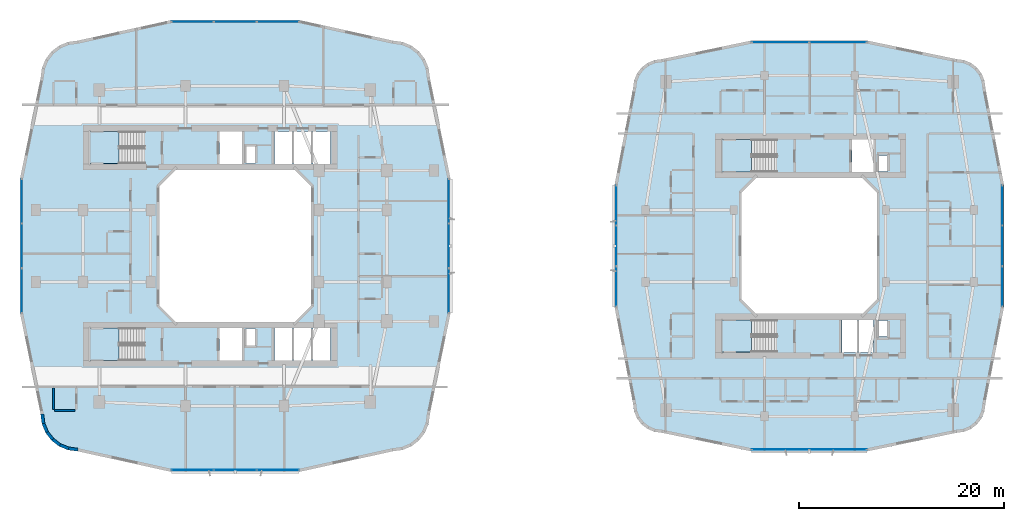
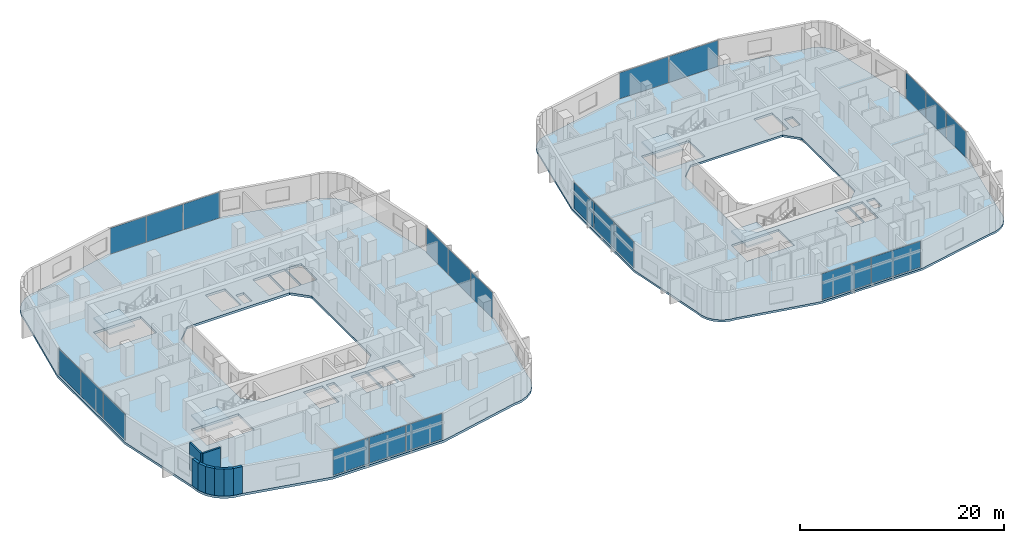
# One storey, part 12 of 26: 22 plates, 8 walls, 6 slabs, 12 elements without a shape of their own.
"""IFC4 building model written with IfcOpenShell, lengths in metres."""

from ifc_helpers import new_model, si_unit, derived_unit, direction, frame, frame_2d, origin, origin_2d, place, context, subcontext, project, spatial, polyline, rectangle, outline, extrude, material, layer, layer_set, type_object, element, aggregate, save


model = new_model("IFC4")

# Units and contexts
model_context = context("Model", 3, precision=1e-05, world=origin(), true_north=direction((0.0, 1.0)))
body_context = subcontext(model_context, "Body", "Model", "MODEL_VIEW")
ifc_project = project(units=[si_unit("LENGTHUNIT", "METRE"), si_unit("AREAUNIT", "SQUARE_METRE"), si_unit("VOLUMEUNIT", "CUBIC_METRE"), si_unit("PLANEANGLEUNIT", "RADIAN"), si_unit("MASSUNIT", "GRAM", prefix="KILO"), derived_unit("THERMALTRANSMITTANCEUNIT", [(si_unit("POWERUNIT", "WATT"), 1), (si_unit("LENGTHUNIT", "METRE"), -2), (si_unit("THERMODYNAMICTEMPERATUREUNIT", "KELVIN"), -1)])], contexts=[model_context])

# Site, building, storey
site_placement = place(None, origin())
site = spatial("IfcSite", under=ifc_project, at=site_placement, CompositionType="ELEMENT")
building_placement = place(site_placement, origin())
building = spatial("IfcBuilding", under=site, at=building_placement, Name="Kivonza Crest Hotel", CompositionType="ELEMENT")
storey_placement = place(building_placement, frame((0.0, 0.0, 52.0)))
storey = spatial("IfcBuildingStorey", under=building, at=storey_placement, Name="L13", CompositionType="ELEMENT", Elevation=52.0)

# Curtain wall, plates
ifc_material_1 = material(Name="Anodised bronze aluminium and low-E double glazing", Category="aluminium")
ifc_layer_1 = layer(ifc_material_1, 0.179931640625)
ifc_layer_set_1 = layer_set([ifc_layer_1], Name="Anodised bronze aluminium and low-E double glazing")
curtain_wall_type_1 = type_object("IfcCurtainWallType", Name="CW-SYS-2", PredefinedType="NOTDEFINED", material=ifc_layer_set_1)
curtain_wall_1_placement = place(storey_placement, origin())
curtain_wall_1 = element("IfcCurtainWall", 1, at=curtain_wall_1_placement, inside=storey, type_object=curtain_wall_type_1, Name="L13 unitised curtain wall CW-T1-L13-08", PredefinedType="NOTDEFINED")
ifc_material_2 = material(Name="Solar-control low-E double glazing", Category="glass")
ifc_layer_2 = layer(ifc_material_2, 0.028076171875)
ifc_layer_set_2 = layer_set([ifc_layer_2], Name="Solar-control low-E double glazing")
plate_type = type_object("IfcPlateType", Name="CW-PNL-28", PredefinedType="CURTAIN_PANEL", material=ifc_layer_set_2)
plate_1_placement = place(storey_placement, frame((16.890869140625, 3.159912109375, 0.06494140625), z_axis=(0.0, 0.0, 1.0), x_axis=(1.0, 0.0, 0.0)))
plate_1 = element("IfcPlate", 2, at=plate_1_placement, type_object=plate_type, Name="CW-2 panel 1.1", PredefinedType="CURTAIN_PANEL", context=body_context, shape_type="SweptSolid", body=[
    extrude(rectangle(XDim=4.06787109375, YDim=0.028076171875, at=origin_2d()), origin(), (0.0, 0.0, 1.0), 3.090087890625),
])
plate_2_placement = place(storey_placement, frame((21.0400390625, 3.159912109375, 0.06494140625), z_axis=(0.0, 0.0, 1.0), x_axis=(1.0, 0.0, 0.0)))
plate_2 = element("IfcPlate", 3, at=plate_2_placement, type_object=plate_type, Name="CW-2 panel 2.1", PredefinedType="CURTAIN_PANEL", context=body_context, shape_type="SweptSolid", body=[
    extrude(rectangle(XDim=4.100341796875, YDim=0.028076171875, at=origin_2d()), origin(), (0.0, 0.0, 1.0), 3.090087890625),
])
plate_3_placement = place(storey_placement, frame((25.18896484375, 3.159912109375, 0.06494140625), z_axis=(0.0, 0.0, 1.0), x_axis=(1.0, 0.0, 0.0)))
plate_3 = element("IfcPlate", 4, at=plate_3_placement, type_object=plate_type, Name="CW-2 panel 3.1", PredefinedType="CURTAIN_PANEL", context=body_context, shape_type="SweptSolid", body=[
    extrude(rectangle(XDim=4.06787109375, YDim=0.028076171875, at=origin_2d()), origin(), (0.0, 0.0, 1.0), 3.090087890625),
])
aggregate(curtain_wall_1, [plate_1, plate_2, plate_3])

curtain_wall_2_placement = place(storey_placement, origin())
curtain_wall_2 = element("IfcCurtainWall", 5, at=curtain_wall_2_placement, inside=storey, type_object=curtain_wall_type_1, Name="L13 unitised curtain wall CW-T1-L13-17", PredefinedType="NOTDEFINED")
plate_4_placement = place(storey_placement, frame((41.840087890625, 20.642822265625, 0.06494140625), z_axis=(0.0, 0.0, 1.0), x_axis=(0.0, 1.0, 0.0)))
plate_4 = element("IfcPlate", 6, at=plate_4_placement, type_object=plate_type, Name="CW-2 panel 1.1", PredefinedType="CURTAIN_PANEL", context=body_context, shape_type="SweptSolid", body=[
    extrude(rectangle(XDim=4.27587890625, YDim=0.028076171875, at=origin_2d()), origin(), (0.0, 0.0, 1.0), 3.090087890625),
])
plate_5_placement = place(storey_placement, frame((41.840087890625, 25.0, 0.06494140625), z_axis=(0.0, 0.0, 1.0), x_axis=(0.0, 1.0, 0.0)))
plate_5 = element("IfcPlate", 7, at=plate_5_placement, type_object=plate_type, Name="CW-2 panel 2.1", PredefinedType="CURTAIN_PANEL", context=body_context, shape_type="SweptSolid", body=[
    extrude(rectangle(XDim=4.308349609375, YDim=0.028076171875, at=origin_2d()), origin(), (0.0, 0.0, 1.0), 3.090087890625),
])
plate_6_placement = place(storey_placement, frame((41.840087890625, 29.357177734375, 0.06494140625), z_axis=(0.0, 0.0, 1.0), x_axis=(0.0, 1.0, 0.0)))
plate_6 = element("IfcPlate", 8, at=plate_6_placement, type_object=plate_type, Name="CW-2 panel 3.1", PredefinedType="CURTAIN_PANEL", context=body_context, shape_type="SweptSolid", body=[
    extrude(rectangle(XDim=4.27587890625, YDim=0.028076171875, at=origin_2d()), origin(), (0.0, 0.0, 1.0), 3.090087890625),
])
aggregate(curtain_wall_2, [plate_4, plate_5, plate_6])

curtain_wall_3_placement = place(storey_placement, origin())
curtain_wall_3 = element("IfcCurtainWall", 9, at=curtain_wall_3_placement, inside=storey, type_object=curtain_wall_type_1, Name="L13 unitised curtain wall CW-T1-L13-26", PredefinedType="NOTDEFINED")
plate_7_placement = place(storey_placement, frame((25.18896484375, 46.840087890625, 0.06494140625), z_axis=(0.0, 0.0, 1.0), x_axis=(-1.0, 0.0, 0.0)))
plate_7 = element("IfcPlate", 10, at=plate_7_placement, type_object=plate_type, Name="CW-2 panel 1.1", PredefinedType="CURTAIN_PANEL", context=body_context, shape_type="SweptSolid", body=[
    extrude(rectangle(XDim=4.06787109375, YDim=0.028076171875, at=origin_2d()), origin(), (0.0, 0.0, 1.0), 3.090087890625),
])
plate_8_placement = place(storey_placement, frame((21.0400390625, 46.840087890625, 0.06494140625), z_axis=(0.0, 0.0, 1.0), x_axis=(-1.0, 0.0, 0.0)))
plate_8 = element("IfcPlate", 11, at=plate_8_placement, type_object=plate_type, Name="CW-2 panel 2.1", PredefinedType="CURTAIN_PANEL", context=body_context, shape_type="SweptSolid", body=[
    extrude(rectangle(XDim=4.100341796875, YDim=0.028076171875, at=origin_2d()), origin(), (0.0, 0.0, 1.0), 3.090087890625),
])
plate_9_placement = place(storey_placement, frame((16.890869140625, 46.840087890625, 0.06494140625), z_axis=(0.0, 0.0, 1.0), x_axis=(-1.0, 0.0, 0.0)))
plate_9 = element("IfcPlate", 12, at=plate_9_placement, type_object=plate_type, Name="CW-2 panel 3.1", PredefinedType="CURTAIN_PANEL", context=body_context, shape_type="SweptSolid", body=[
    extrude(rectangle(XDim=4.06787109375, YDim=0.028076171875, at=origin_2d()), origin(), (0.0, 0.0, 1.0), 3.090087890625),
])
aggregate(curtain_wall_3, [plate_7, plate_8, plate_9])

curtain_wall_4_placement = place(storey_placement, origin())
curtain_wall_4 = element("IfcCurtainWall", 13, at=curtain_wall_4_placement, inside=storey, type_object=curtain_wall_type_1, Name="L13 unitised curtain wall CW-T1-L13-35", PredefinedType="NOTDEFINED")
plate_10_placement = place(storey_placement, frame((0.239990234375, 29.357177734375, 0.06494140625), z_axis=(0.0, 0.0, 1.0), x_axis=(0.0, -1.0, 0.0)))
plate_10 = element("IfcPlate", 14, at=plate_10_placement, type_object=plate_type, Name="CW-2 panel 1.1", PredefinedType="CURTAIN_PANEL", context=body_context, shape_type="SweptSolid", body=[
    extrude(rectangle(XDim=4.27587890625, YDim=0.028076171875, at=origin_2d()), origin(), (0.0, 0.0, 1.0), 3.090087890625),
])
plate_11_placement = place(storey_placement, frame((0.239990234375, 25.0, 0.06494140625), z_axis=(0.0, 0.0, 1.0), x_axis=(0.0, -1.0, 0.0)))
plate_11 = element("IfcPlate", 15, at=plate_11_placement, type_object=plate_type, Name="CW-2 panel 2.1", PredefinedType="CURTAIN_PANEL", context=body_context, shape_type="SweptSolid", body=[
    extrude(rectangle(XDim=4.308349609375, YDim=0.028076171875, at=origin_2d()), origin(), (0.0, 0.0, 1.0), 3.090087890625),
])
plate_12_placement = place(storey_placement, frame((0.239990234375, 20.642822265625, 0.06494140625), z_axis=(0.0, 0.0, 1.0), x_axis=(0.0, -1.0, 0.0)))
plate_12 = element("IfcPlate", 16, at=plate_12_placement, type_object=plate_type, Name="CW-2 panel 3.1", PredefinedType="CURTAIN_PANEL", context=body_context, shape_type="SweptSolid", body=[
    extrude(rectangle(XDim=4.27587890625, YDim=0.028076171875, at=origin_2d()), origin(), (0.0, 0.0, 1.0), 3.090087890625),
])
aggregate(curtain_wall_4, [plate_10, plate_11, plate_12])

ifc_layer_3 = layer(ifc_material_1, 0.179931640625)
ifc_layer_set_3 = layer_set([ifc_layer_3], Name="Anodised bronze aluminium and low-E double glazing")
curtain_wall_type_2 = type_object("IfcCurtainWallType", Name="CW-SYS-4", PredefinedType="NOTDEFINED", material=ifc_layer_set_3)
curtain_wall_5_placement = place(storey_placement, origin())
curtain_wall_5 = element("IfcCurtainWall", 17, at=curtain_wall_5_placement, inside=storey, type_object=curtain_wall_type_2, Name="L13 unitised curtain wall CW-T2-L13-08", PredefinedType="NOTDEFINED")
plate_13_placement = place(storey_placement, frame((74.15234375, 5.159912109375, 0.06494140625), z_axis=(0.0, 0.0, 1.0), x_axis=(1.0, 0.0, 0.0)))
plate_13 = element("IfcPlate", 18, at=plate_13_placement, type_object=plate_type, Name="CW-4 panel 1.1", PredefinedType="CURTAIN_PANEL", context=body_context, shape_type="SweptSolid", body=[
    extrude(rectangle(XDim=5.550537109375, YDim=0.028076171875, at=origin_2d()), origin(), (0.0, 0.0, 1.0), 3.1201171875),
])
plate_14_placement = place(storey_placement, frame((79.767822265625, 5.159912109375, 0.06494140625), z_axis=(0.0, 0.0, 1.0), x_axis=(1.0, 0.0, 0.0)))
plate_14 = element("IfcPlate", 19, at=plate_14_placement, type_object=plate_type, Name="CW-4 panel 2.1", PredefinedType="CURTAIN_PANEL", context=body_context, shape_type="SweptSolid", body=[
    extrude(rectangle(XDim=5.550537109375, YDim=0.028076171875, at=origin_2d()), origin(), (0.0, 0.0, 1.0), 3.1201171875),
])
aggregate(curtain_wall_5, [plate_13, plate_14])

curtain_wall_6_placement = place(storey_placement, origin())
curtain_wall_6 = element("IfcCurtainWall", 20, at=curtain_wall_6_placement, inside=storey, type_object=curtain_wall_type_2, Name="L13 unitised curtain wall CW-T2-L13-17", PredefinedType="NOTDEFINED")
plate_15_placement = place(storey_placement, frame((95.760009765625, 21.04296875, 0.06494140625), z_axis=(0.0, 0.0, 1.0), x_axis=(0.0, 1.0, 0.0)))
plate_15 = element("IfcPlate", 21, at=plate_15_placement, type_object=plate_type, Name="CW-4 panel 1.1", PredefinedType="CURTAIN_PANEL", context=body_context, shape_type="SweptSolid", body=[
    extrude(rectangle(XDim=3.875732421875, YDim=0.028076171875, at=origin_2d()), origin(), (0.0, 0.0, 1.0), 3.1201171875),
])
plate_16_placement = place(storey_placement, frame((95.760009765625, 25.0, 0.06494140625), z_axis=(0.0, 0.0, 1.0), x_axis=(0.0, 1.0, 0.0)))
plate_16 = element("IfcPlate", 22, at=plate_16_placement, type_object=plate_type, Name="CW-4 panel 2.1", PredefinedType="CURTAIN_PANEL", context=body_context, shape_type="SweptSolid", body=[
    extrude(rectangle(XDim=3.908447265625, YDim=0.028076171875, at=origin_2d()), origin(), (0.0, 0.0, 1.0), 3.1201171875),
])
plate_17_placement = place(storey_placement, frame((95.760009765625, 28.95703125, 0.06494140625), z_axis=(0.0, 0.0, 1.0), x_axis=(0.0, 1.0, 0.0)))
plate_17 = element("IfcPlate", 23, at=plate_17_placement, type_object=plate_type, Name="CW-4 panel 3.1", PredefinedType="CURTAIN_PANEL", context=body_context, shape_type="SweptSolid", body=[
    extrude(rectangle(XDim=3.875732421875, YDim=0.028076171875, at=origin_2d()), origin(), (0.0, 0.0, 1.0), 3.1201171875),
])
aggregate(curtain_wall_6, [plate_15, plate_16, plate_17])

curtain_wall_7_placement = place(storey_placement, origin())
curtain_wall_7 = element("IfcCurtainWall", 24, at=curtain_wall_7_placement, inside=storey, type_object=curtain_wall_type_2, Name="L13 unitised curtain wall CW-T2-L13-26", PredefinedType="NOTDEFINED")
plate_18_placement = place(storey_placement, frame((79.767822265625, 44.840087890625, 0.06494140625), z_axis=(0.0, 0.0, 1.0), x_axis=(-1.0, 0.0, 0.0)))
plate_18 = element("IfcPlate", 25, at=plate_18_placement, type_object=plate_type, Name="CW-4 panel 1.1", PredefinedType="CURTAIN_PANEL", context=body_context, shape_type="SweptSolid", body=[
    extrude(rectangle(XDim=5.550537109375, YDim=0.028076171875, at=origin_2d()), origin(), (0.0, 0.0, 1.0), 3.1201171875),
])
plate_19_placement = place(storey_placement, frame((74.15234375, 44.840087890625, 0.06494140625), z_axis=(0.0, 0.0, 1.0), x_axis=(-1.0, 0.0, 0.0)))
plate_19 = element("IfcPlate", 26, at=plate_19_placement, type_object=plate_type, Name="CW-4 panel 2.1", PredefinedType="CURTAIN_PANEL", context=body_context, shape_type="SweptSolid", body=[
    extrude(rectangle(XDim=5.550537109375, YDim=0.028076171875, at=origin_2d()), origin(), (0.0, 0.0, 1.0), 3.1201171875),
])
aggregate(curtain_wall_7, [plate_18, plate_19])

curtain_wall_8_placement = place(storey_placement, origin())
curtain_wall_8 = element("IfcCurtainWall", 27, at=curtain_wall_8_placement, inside=storey, type_object=curtain_wall_type_2, Name="L13 unitised curtain wall CW-T2-L13-35", PredefinedType="NOTDEFINED")
plate_20_placement = place(storey_placement, frame((58.159912109375, 28.95703125, 0.06494140625), z_axis=(0.0, 0.0, 1.0), x_axis=(0.0, -1.0, 0.0)))
plate_20 = element("IfcPlate", 28, at=plate_20_placement, type_object=plate_type, Name="CW-4 panel 1.1", PredefinedType="CURTAIN_PANEL", context=body_context, shape_type="SweptSolid", body=[
    extrude(rectangle(XDim=3.875732421875, YDim=0.028076171875, at=origin_2d()), origin(), (0.0, 0.0, 1.0), 3.1201171875),
])
plate_21_placement = place(storey_placement, frame((58.159912109375, 25.0, 0.06494140625), z_axis=(0.0, 0.0, 1.0), x_axis=(0.0, -1.0, 0.0)))
plate_21 = element("IfcPlate", 29, at=plate_21_placement, type_object=plate_type, Name="CW-4 panel 2.1", PredefinedType="CURTAIN_PANEL", context=body_context, shape_type="SweptSolid", body=[
    extrude(rectangle(XDim=3.908447265625, YDim=0.028076171875, at=origin_2d()), origin(), (0.0, 0.0, 1.0), 3.1201171875),
])
plate_22_placement = place(storey_placement, frame((58.159912109375, 21.04296875, 0.06494140625), z_axis=(0.0, 0.0, 1.0), x_axis=(0.0, -1.0, 0.0)))
plate_22 = element("IfcPlate", 30, at=plate_22_placement, type_object=plate_type, Name="CW-4 panel 3.1", PredefinedType="CURTAIN_PANEL", context=body_context, shape_type="SweptSolid", body=[
    extrude(rectangle(XDim=3.875732421875, YDim=0.028076171875, at=origin_2d()), origin(), (0.0, 0.0, 1.0), 3.1201171875),
])
aggregate(curtain_wall_8, [plate_20, plate_21, plate_22])

# Slab
ifc_material_3 = material(Name="Concrete C40/50", Category="concrete")
ifc_layer_4 = layer(ifc_material_3, 0.280029296875)
ifc_layer_set_4 = layer_set([ifc_layer_4], Name="Concrete C40/50")
slab_type_1 = type_object("IfcSlabType", Name="SL-HTL-280", PredefinedType="FLOOR", material=ifc_layer_set_4)
slab_1_placement = place(storey_placement, frame((0.0, 0.0, -0.280029296875)))
element("IfcSlab", 31, at=slab_1_placement, inside=storey, type_object=slab_type_1, Name="Tower T1 L13 floor slab", PredefinedType="FLOOR", context=body_context, shape_type="SweptSolid", body=[
    extrude(outline(polyline([(2.080078125, 8.60009765625), (2.202880859375, 7.66796875), (2.56201171875, 6.800048828125), (3.134033203125, 6.053955078125), (3.8798828125, 5.48193359375), (4.748046875, 5.123046875), (5.679931640625, 5.0), (14.751953125, 3.0), (27.327880859375, 3.0), (36.39990234375, 5.0), (37.33203125, 5.123046875), (38.199951171875, 5.48193359375), (38.946044921875, 6.053955078125), (39.51806640625, 6.800048828125), (39.876953125, 7.66796875), (40.0, 8.60009765625), (42.0, 18.39990234375), (42.0, 31.60009765625), (40.0, 41.39990234375), (39.876953125, 42.33203125), (39.51806640625, 43.199951171875), (38.946044921875, 43.946044921875), (38.199951171875, 44.51806640625), (37.33203125, 44.876953125), (36.39990234375, 45.0), (27.327880859375, 47.0), (14.751953125, 47.0), (5.679931640625, 45.0), (4.748046875, 44.876953125), (3.8798828125, 44.51806640625), (3.134033203125, 43.946044921875), (2.56201171875, 43.199951171875), (2.202880859375, 42.33203125), (2.080078125, 41.39990234375), (0.080078125, 31.60009765625), (0.080078125, 18.39990234375), (2.080078125, 8.60009765625)]), holes=[polyline([(15.239990234375, 17.60009765625), (26.840087890625, 17.60009765625), (28.43994140625, 19.199951171875), (28.43994140625, 30.800048828125), (26.840087890625, 32.39990234375), (15.239990234375, 32.39990234375), (13.639892578125, 30.800048828125), (13.639892578125, 19.199951171875), (15.239990234375, 17.60009765625)]), polyline([(6.800048828125, 33.02001953125), (12.159912109375, 33.02001953125), (12.159912109375, 36.159912109375), (6.800048828125, 36.159912109375), (6.800048828125, 33.02001953125)]), polyline([(6.800048828125, 13.860107421875), (12.159912109375, 13.860107421875), (12.159912109375, 17.0), (6.800048828125, 17.0), (6.800048828125, 13.860107421875)]), polyline([(22.080078125, 33.0400390625), (22.969970703125, 33.0400390625), (22.969970703125, 34.679931640625), (22.080078125, 34.679931640625), (22.080078125, 33.0400390625)]), polyline([(22.080078125, 15.320068359375), (22.969970703125, 15.320068359375), (22.969970703125, 16.9599609375), (22.080078125, 16.9599609375), (22.080078125, 15.320068359375)]), polyline([(19.5, 33.0), (21.699951171875, 33.0), (21.699951171875, 36.159912109375), (19.5, 36.159912109375), (19.5, 33.0)]), polyline([(24.860107421875, 33.0), (26.60693359375, 33.0), (26.60693359375, 36.159912109375), (24.860107421875, 36.159912109375), (24.860107421875, 33.0)]), polyline([(26.72705078125, 33.0), (28.472900390625, 33.0), (28.472900390625, 36.159912109375), (26.72705078125, 36.159912109375), (26.72705078125, 33.0)]), polyline([(28.593017578125, 33.0), (30.340087890625, 33.0), (30.340087890625, 36.159912109375), (28.593017578125, 36.159912109375), (28.593017578125, 33.0)]), polyline([(19.5, 13.840087890625), (21.699951171875, 13.840087890625), (21.699951171875, 17.0), (19.5, 17.0), (19.5, 13.840087890625)]), polyline([(24.860107421875, 13.840087890625), (26.60693359375, 13.840087890625), (26.60693359375, 17.0), (24.860107421875, 17.0), (24.860107421875, 13.840087890625)]), polyline([(26.72705078125, 13.840087890625), (28.472900390625, 13.840087890625), (28.472900390625, 17.0), (26.72705078125, 17.0), (26.72705078125, 13.840087890625)]), polyline([(28.593017578125, 13.840087890625), (30.340087890625, 13.840087890625), (30.340087890625, 17.0), (28.593017578125, 17.0), (28.593017578125, 13.840087890625)])]), origin(), (0.0, 0.0, 1.0), 0.280029296875),
])

# Stair, slab
stair_type = type_object("IfcStairType", Name="ST-DL-20R", PredefinedType="HALF_TURN_STAIR", material=ifc_material_3)
stair_1_placement = place(storey_placement, origin())
stair_1 = element("IfcStair", 32, at=stair_1_placement, inside=storey, type_object=stair_type, Name="L13 Protected Exit Stair ST-T1-N", PredefinedType="HALF_TURN_STAIR")
ifc_layer_5 = layer(ifc_material_3, 0.199951171875)
ifc_layer_set_5 = layer_set([ifc_layer_5], Name="Concrete C40/50")
slab_type_2 = type_object("IfcSlabType", Name="SL-LAND-200", PredefinedType="LANDING", material=ifc_layer_set_5)
slab_2_placement = place(storey_placement, frame((0.0, 0.0, 1.550048828125)))
slab_2 = element("IfcSlab", 33, at=slab_2_placement, type_object=slab_type_2, Name="ST-T1-N landing 1", PredefinedType="LANDING", context=body_context, shape_type="SweptSolid", body=[
    extrude(outline(polyline([(9.719970703125, 36.159912109375), (6.800048828125, 36.159912109375), (6.800048828125, 33.02001953125), (9.719970703125, 33.02001953125), (9.719970703125, 36.159912109375)])), origin(), (0.0, 0.0, 1.0), 0.199951171875),
])
aggregate(stair_1, [slab_2])

stair_2_placement = place(storey_placement, origin())
stair_2 = element("IfcStair", 34, at=stair_2_placement, inside=storey, type_object=stair_type, Name="L13 Protected Exit Stair ST-T1-S", PredefinedType="HALF_TURN_STAIR")
slab_3_placement = place(storey_placement, frame((0.0, 0.0, 1.550048828125)))
slab_3 = element("IfcSlab", 35, at=slab_3_placement, type_object=slab_type_2, Name="ST-T1-S landing 1", PredefinedType="LANDING", context=body_context, shape_type="SweptSolid", body=[
    extrude(outline(polyline([(9.719970703125, 17.0), (6.800048828125, 17.0), (6.800048828125, 13.860107421875), (9.719970703125, 13.860107421875), (9.719970703125, 17.0)])), origin(), (0.0, 0.0, 1.0), 0.199951171875),
])
aggregate(stair_2, [slab_3])

stair_3_placement = place(storey_placement, origin())
stair_3 = element("IfcStair", 36, at=stair_3_placement, inside=storey, type_object=stair_type, Name="L13 Protected Exit Stair ST-T2-N", PredefinedType="HALF_TURN_STAIR")
slab_4_placement = place(storey_placement, frame((0.0, 0.0, 1.550048828125)))
slab_4 = element("IfcSlab", 37, at=slab_4_placement, type_object=slab_type_2, Name="ST-T2-N landing 1", PredefinedType="LANDING", context=body_context, shape_type="SweptSolid", body=[
    extrude(outline(polyline([(71.320068359375, 35.360107421875), (68.39990234375, 35.360107421875), (68.39990234375, 32.219970703125), (71.320068359375, 32.219970703125), (71.320068359375, 35.360107421875)])), origin(), (0.0, 0.0, 1.0), 0.199951171875),
])
aggregate(stair_3, [slab_4])

stair_4_placement = place(storey_placement, origin())
stair_4 = element("IfcStair", 38, at=stair_4_placement, inside=storey, type_object=stair_type, Name="L13 Protected Exit Stair ST-T2-S", PredefinedType="HALF_TURN_STAIR")
slab_5_placement = place(storey_placement, frame((0.0, 0.0, 1.550048828125)))
slab_5 = element("IfcSlab", 39, at=slab_5_placement, type_object=slab_type_2, Name="ST-T2-S landing 1", PredefinedType="LANDING", context=body_context, shape_type="SweptSolid", body=[
    extrude(outline(polyline([(71.320068359375, 17.800048828125), (68.39990234375, 17.800048828125), (68.39990234375, 14.659912109375), (71.320068359375, 14.659912109375), (71.320068359375, 17.800048828125)])), origin(), (0.0, 0.0, 1.0), 0.199951171875),
])
aggregate(stair_4, [slab_5])

# Slab
ifc_layer_6 = layer(ifc_material_3, 0.25)
ifc_layer_set_6 = layer_set([ifc_layer_6], Name="Concrete C40/50")
slab_type_3 = type_object("IfcSlabType", Name="SL-RES-250", PredefinedType="FLOOR", material=ifc_layer_set_6)
slab_6_placement = place(storey_placement, frame((0.0, 0.0, -0.25)))
element("IfcSlab", 40, at=slab_6_placement, inside=storey, type_object=slab_type_3, Name="Companion Tower T2 L13 floor slab", PredefinedType="FLOOR", context=body_context, shape_type="SweptSolid", body=[
    extrude(outline(polyline([(59.800048828125, 9.60009765625), (59.89501953125, 8.875), (60.175048828125, 8.199951171875), (60.6201171875, 7.6201171875), (61.199951171875, 7.175048828125), (61.875, 6.89501953125), (62.60009765625, 6.800048828125), (71.27197265625, 5.0), (82.64794921875, 5.0), (91.320068359375, 6.800048828125), (92.044921875, 6.89501953125), (92.719970703125, 7.175048828125), (93.300048828125, 7.6201171875), (93.7451171875, 8.199951171875), (94.02490234375, 8.875), (94.1201171875, 9.60009765625), (95.919921875, 19.0), (95.919921875, 31.0), (94.1201171875, 40.39990234375), (94.02490234375, 41.125), (93.7451171875, 41.800048828125), (93.300048828125, 42.3798828125), (92.719970703125, 42.824951171875), (92.044921875, 43.10498046875), (91.320068359375, 43.199951171875), (82.64794921875, 45.0), (71.27197265625, 45.0), (62.60009765625, 43.199951171875), (61.875, 43.10498046875), (61.199951171875, 42.824951171875), (60.6201171875, 42.3798828125), (60.175048828125, 41.800048828125), (59.89501953125, 41.125), (59.800048828125, 40.39990234375), (58.0, 31.0), (58.0, 19.0), (59.800048828125, 9.60009765625)]), holes=[polyline([(71.760009765625, 18.39990234375), (82.159912109375, 18.39990234375), (83.56005859375, 19.800048828125), (83.56005859375, 30.199951171875), (82.159912109375, 31.60009765625), (71.760009765625, 31.60009765625), (70.360107421875, 30.199951171875), (70.360107421875, 19.800048828125), (71.760009765625, 18.39990234375)]), polyline([(68.39990234375, 32.219970703125), (73.760009765625, 32.219970703125), (73.760009765625, 35.360107421875), (68.39990234375, 35.360107421875), (68.39990234375, 32.219970703125)]), polyline([(68.39990234375, 14.659912109375), (73.760009765625, 14.659912109375), (73.760009765625, 17.800048828125), (68.39990234375, 17.800048828125), (68.39990234375, 14.659912109375)]), polyline([(83.679931640625, 32.239990234375), (84.570068359375, 32.239990234375), (84.570068359375, 33.820068359375), (83.679931640625, 33.820068359375), (83.679931640625, 32.239990234375)]), polyline([(83.679931640625, 16.179931640625), (84.570068359375, 16.179931640625), (84.570068359375, 17.760009765625), (83.679931640625, 17.760009765625), (83.679931640625, 16.179931640625)]), polyline([(81.10009765625, 32.199951171875), (83.199951171875, 32.199951171875), (83.199951171875, 35.360107421875), (81.10009765625, 35.360107421875), (81.10009765625, 32.199951171875)]), polyline([(80.159912109375, 14.639892578125), (81.639892578125, 14.639892578125), (81.639892578125, 17.800048828125), (80.159912109375, 17.800048828125), (80.159912109375, 14.639892578125)]), polyline([(81.760009765625, 14.639892578125), (83.239990234375, 14.639892578125), (83.239990234375, 17.800048828125), (81.760009765625, 17.800048828125), (81.760009765625, 14.639892578125)])]), origin(), (0.0, 0.0, 1.0), 0.25),
])

# Walls
ifc_material_4 = material(Name="Precast concrete C40/50", Category="concrete")
ifc_layer_7 = layer(ifc_material_4, 0.300048828125)
ifc_layer_set_7 = layer_set([ifc_layer_7], Name="Precast concrete C40/50")
wall_type_1 = type_object("IfcWallType", Name="WL-EXT-300", PredefinedType="STANDARD", material=ifc_layer_set_7)
wall_1_placement = place(storey_placement, frame((2.22802734375, 8.6279296875, 0.0), z_axis=(0.0, 0.0, 1.0), x_axis=(0.131174864804, -0.991359246108, 0.0)))
element("IfcWall", 41, at=wall_1_placement, inside=storey, type_object=wall_type_1, Name="L13 T1 exterior insulated wall 1", PredefinedType="STANDARD", context=body_context, shape_type="SweptSolid", body=[
    extrude(rectangle(XDim=0.93798828125, YDim=0.300048828125, at=frame_2d((0.468994140625, 0.0))), origin(), (0.0, 0.0, 1.0), 3.219970703125),
])
wall_2_placement = place(storey_placement, frame((2.33203125, 7.748046875, 0.0), z_axis=(0.0, 0.0, 1.0), x_axis=(0.382344263057, -0.924019948111, 0.0)))
element("IfcWall", 42, at=wall_2_placement, inside=storey, type_object=wall_type_1, Name="L13 T1 exterior insulated wall 2", PredefinedType="STANDARD", context=body_context, shape_type="SweptSolid", body=[
    extrude(rectangle(XDim=0.95458984375, YDim=0.300048828125, at=frame_2d((0.477294921875, 0.0))), origin(), (0.0, 0.0, 1.0), 3.219970703125),
])
for number, where, z_axis, x_axis, name in (
    (43, (2.666015625, 6.910888671875, 0.0), (0.0, 0.0, 1.0), (0.608474481025, -0.793573440799, 0.0), "L13 T1 exterior insulated wall 3"),
    (44, (3.205078125, 6.18798828125, 0.0), (0.0, 0.0, 1.0), (0.793573440799, -0.608474481025, 0.0), "L13 T1 exterior insulated wall 4"),
):
    element("IfcWall", number, at=place(storey_placement, frame(where, z_axis=z_axis, x_axis=x_axis)), inside=storey, type_object=wall_type_1, Name=name, PredefinedType="STANDARD", context=body_context, shape_type="SweptSolid", body=[
        extrude(rectangle(XDim=0.954833984375, YDim=0.300048828125, at=frame_2d((0.4775390625, 0.0))), origin(), (0.0, 0.0, 1.0), 3.219970703125),
    ])
wall_3_placement = place(storey_placement, frame((3.9140625, 5.631103515625, 0.0), z_axis=(0.0, 0.0, 1.0), x_axis=(0.923982547689, -0.382434636986, 0.0)))
element("IfcWall", 45, at=wall_3_placement, inside=storey, type_object=wall_type_1, Name="L13 T1 exterior insulated wall 5", PredefinedType="STANDARD", context=body_context, shape_type="SweptSolid", body=[
    extrude(rectangle(XDim=0.954345703125, YDim=0.300048828125, at=frame_2d((0.47705078125, 0.0))), origin(), (0.0, 0.0, 1.0), 3.219970703125),
])
wall_4_placement = place(storey_placement, frame((4.742919921875, 5.27490234375, 0.0), z_axis=(0.0, 0.0, 1.0), x_axis=(0.99145856342, -0.130422072598, 0.0)))
element("IfcWall", 46, at=wall_4_placement, inside=storey, type_object=wall_type_1, Name="L13 T1 exterior insulated wall 6", PredefinedType="STANDARD", context=body_context, shape_type="SweptSolid", body=[
    extrude(rectangle(XDim=0.973388671875, YDim=0.300048828125, at=frame_2d((0.48681640625, 0.0))), origin(), (0.0, 0.0, 1.0), 3.219970703125),
])
ifc_material_5 = material(Name="Moisture-resistant plumbing chase partition wall", Category="gypsum")
ifc_layer_8 = layer(ifc_material_5, 0.199951171875)
ifc_layer_set_8 = layer_set([ifc_layer_8], Name="Moisture-resistant plumbing chase partition wall")
wall_type_2 = type_object("IfcWallType", Name="WL-PLUMB-200", PredefinedType="PLUMBINGWALL", material=ifc_layer_set_8)
wall_5_placement = place(storey_placement, frame((3.449951171875, 8.949951171875, 0.0), z_axis=(0.0, 0.0, 1.0), x_axis=(1.0, 0.0, 0.0)))
element("IfcWall", 47, at=wall_5_placement, inside=storey, type_object=wall_type_2, Name="L13 interior partition WW-L13-S03-BH", PredefinedType="PLUMBINGWALL", context=body_context, shape_type="SweptSolid", body=[
    extrude(rectangle(XDim=2.0, YDim=0.199951171875, at=frame_2d((1.0, 0.0))), origin(), (0.0, 0.0, 1.0), 3.219970703125),
])
wall_6_placement = place(storey_placement, frame((3.35009765625, 9.050048828125, 0.0), z_axis=(0.0, 0.0, 1.0), x_axis=(0.0, 1.0, 0.0)))
element("IfcWall", 48, at=wall_6_placement, inside=storey, type_object=wall_type_2, Name="L13 interior partition WW-L13-S03-BVW", PredefinedType="PLUMBINGWALL", context=body_context, shape_type="SweptSolid", body=[
    extrude(rectangle(XDim=2.099853515625, YDim=0.199951171875, at=frame_2d((1.0498046875, 0.0))), origin(), (0.0, 0.0, 1.0), 3.219970703125),
])

save(model, "model.ifc")
